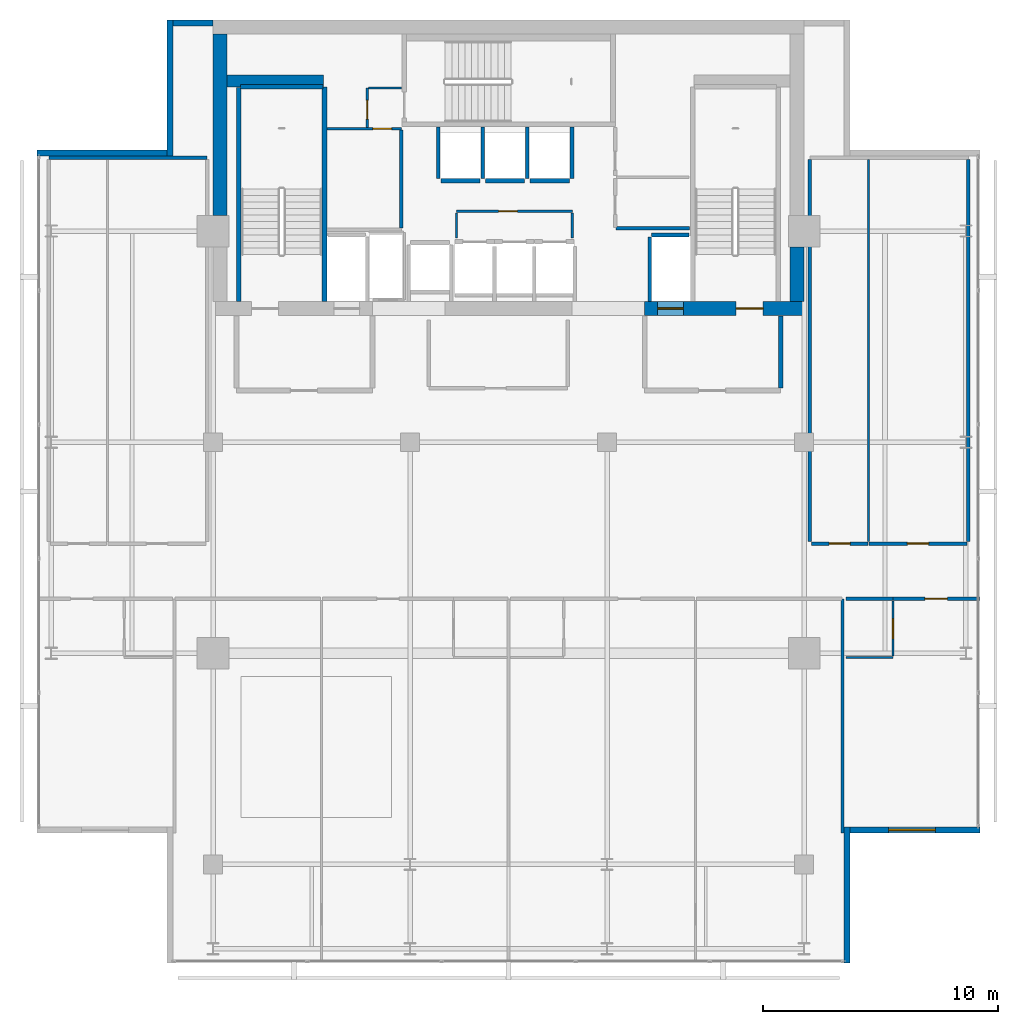
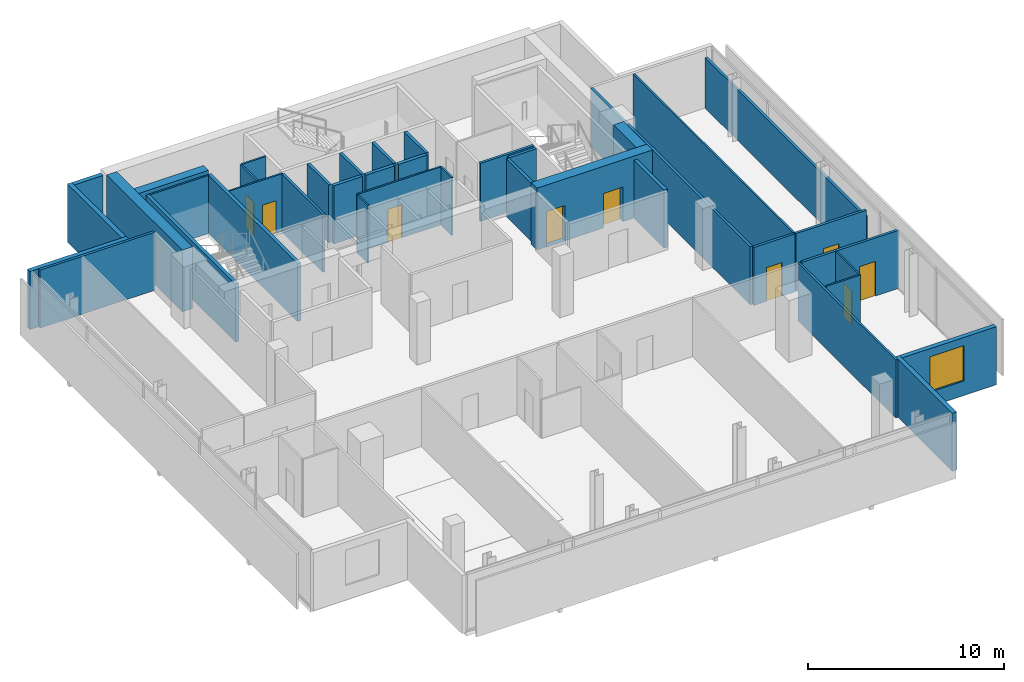
# One storey, part 18 of 23: 41 walls, 9 doors, 1 window, 10 openings.
"""IFC4 building model written with IfcOpenShell, lengths in metres."""

from ifc_helpers import new_model, si_unit, direction, frame, frame_2d, origin, place, context, subcontext, project, spatial, rectangle, extrude, material, layer, layer_set, type_object, element, fill, save


model = new_model("IFC4")

# Units and contexts
model_context = context("Model", 3, precision=1e-05, world=origin(), true_north=direction((0.0, 1.0)))
body_context = subcontext(model_context, "Body", "Model", "MODEL_VIEW")
ifc_project = project(units=[si_unit("LENGTHUNIT", "METRE"), si_unit("AREAUNIT", "SQUARE_METRE"), si_unit("VOLUMEUNIT", "CUBIC_METRE"), si_unit("PLANEANGLEUNIT", "RADIAN"), si_unit("MASSUNIT", "GRAM", prefix="KILO")], contexts=[model_context])

# Site, building, storey
site_placement = place(None, origin())
site = spatial("IfcSite", under=ifc_project, at=site_placement, CompositionType="ELEMENT")
building_placement = place(site_placement, origin())
building = spatial("IfcBuilding", under=site, at=building_placement, Name="Maruvema Waterfront Hotel and Observation Tower", CompositionType="ELEMENT")
storey_placement = place(building_placement, frame((0.0, 0.0, 341.25)))
storey = spatial("IfcBuildingStorey", under=building, at=storey_placement, Name="L84", CompositionType="ELEMENT", Elevation=341.25)

# Walls
ifc_material_1 = material(Name="Twin-stud acoustic gypsum drywall", Category="gypsum")
ifc_layer_1 = layer(ifc_material_1, 0.14990234375, Name="Acoustic Corridor and Suite Demising Wall 150 mm")
ifc_layer_set_1 = layer_set([ifc_layer_1], Name="Twin-stud acoustic gypsum drywall")
wall_type_1 = type_object("IfcWallType", Name="Acoustic Corridor and Suite Demising Wall 150 mm", PredefinedType="PARTITIONING", material=ifc_layer_set_1)
wall_1_placement = place(storey_placement, frame((33.219970703125, 45.139892578125, 0.0), z_axis=(0.0, 0.0, 1.0), x_axis=(0.0, 1.0, 0.0)))
element("IfcWall", 1, at=wall_1_placement, inside=storey, type_object=wall_type_1, Name="L84 Freed B1 East Wall 014", PredefinedType="PARTITIONING", context=body_context, shape_type="SweptSolid", body=[
    extrude(rectangle(XDim=4.16015625, YDim=0.14990234375, at=frame_2d((2.080078125, 0.0))), origin(), (0.0, 0.0, 1.0), 3.610107421875),
])
wall_2_placement = place(storey_placement, frame((42.3798828125, 45.1201171875, 0.0), z_axis=(0.0, 0.0, 1.0), x_axis=(1.0, 0.0, 0.0)))
element("IfcWall", 2, at=wall_2_placement, inside=storey, type_object=wall_type_1, Name="L84 Freed B2 South Wall 021", PredefinedType="PARTITIONING", context=body_context, shape_type="SweptSolid", body=[
    extrude(rectangle(XDim=3.14013671875, YDim=0.14990234375, at=frame_2d((1.570068359375, 0.0))), origin(), (0.0, 0.0, 1.0), 3.610107421875),
])
wall_3_placement = place(storey_placement, frame((18.199951171875, 48.125, 0.0), z_axis=(0.0, 0.0, 1.0), x_axis=(1.0, 0.0, 0.0)))
element("IfcWall", 3, at=wall_3_placement, inside=storey, type_object=wall_type_1, Name="L84 L84-Z4W Back Wall 025", PredefinedType="PARTITIONING", context=body_context, shape_type="SweptSolid", body=[
    extrude(rectangle(XDim=6.75, YDim=0.14990234375, at=frame_2d((3.375, 0.0))), origin(), (0.0, 0.0, 1.0), 3.610107421875),
])
wall_4_placement = place(storey_placement, frame((50.64990234375, 31.760009765625, 0.0), z_axis=(0.0, 0.0, 1.0), x_axis=(0.0, 1.0, 0.0)))
element("IfcWall", 4, at=wall_4_placement, inside=storey, type_object=wall_type_1, Name="L84 L84-Z4E West Wall 032", PredefinedType="PARTITIONING", context=body_context, shape_type="SweptSolid", body=[
    extrude(rectangle(XDim=16.284912109375, YDim=0.14990234375, at=frame_2d((8.142578125, 0.0))), origin(), (0.0, 0.0, 1.0), 3.610107421875),
])
wall_5_placement = place(storey_placement, frame((57.39990234375, 31.760009765625, 0.0), z_axis=(0.0, 0.0, 1.0), x_axis=(0.0, 1.0, 0.0)))
element("IfcWall", 5, at=wall_5_placement, inside=storey, type_object=wall_type_1, Name="L84 L84-Z4E East Wall 033", PredefinedType="PARTITIONING", context=body_context, shape_type="SweptSolid", body=[
    extrude(rectangle(XDim=16.284912109375, YDim=0.14990234375, at=frame_2d((8.142578125, 0.0))), origin(), (0.0, 0.0, 1.0), 3.14111328125),
])

# Wall, opening, door
wall_6_placement = place(storey_placement, frame((50.7099609375, 31.679931640625, 0.0), z_axis=(0.0, 0.0, 1.0), x_axis=(1.0, 0.0, 0.0)))
wall_6 = element("IfcWall", 6, at=wall_6_placement, inside=storey, type_object=wall_type_1, Name="L84 L84-Z4E Front 1 034", PredefinedType="PARTITIONING", context=body_context, shape_type="SweptSolid", body=[
    extrude(rectangle(XDim=2.407470703125, YDim=0.14990234375, at=frame_2d((1.20361328125, 0.0))), origin(), (0.0, 0.0, 1.0), 3.610107421875),
])
opening_1_placement = place(wall_6_placement, frame((0.753662109375, 0.0, 0.0)))
opening_1 = element("IfcOpeningElement", 7, at=opening_1_placement, cuts=wall_6, Name="Opening DR-090", PredefinedType="OPENING", context=body_context, shape_type="SweptSolid", body=[
    extrude(rectangle(XDim=0.89990234375, YDim=2.10009765625, at=frame_2d((0.449951171875, 1.050048828125))), frame((0.0, 0.0849609375, 0.0), z_axis=(0.0, -1.0, 0.0), x_axis=(1.0, 0.0, 0.0)), (0.0, 0.0, 1.0), 0.169921875),
])
ifc_material_2 = material(Name="Solid-core lacquered timber leaf", Category="wood")
door_type_1 = type_object("IfcDoorType", Name="Accessible Toilet and Room Door 900x2100 mm", OperationType="NOTDEFINED", PredefinedType="DOOR", material=ifc_material_2)
door_1_placement = place(opening_1_placement, frame((0.89990234375, 0.0, 0.0), z_axis=(0.0, 0.0, 1.0), x_axis=(-1.0, 0.0, 0.0)))
door_1 = element("IfcDoor", 8, at=door_1_placement, inside=storey, type_object=door_type_1, Name="L84 Diplomatic Study Office 1 Door", OperationType="SINGLE_SWING_RIGHT", OverallHeight=2.10009765625, OverallWidth=0.89990234375, PredefinedType="DOOR", context=body_context, shape_type="SweptSolid", body=[
    extrude(rectangle(XDim=0.89990234375, YDim=2.10009765625, at=frame_2d((0.449951171875, 1.050048828125))), frame((0.0, 0.02490234375, 0.0), z_axis=(0.0, -1.0, 0.0), x_axis=(1.0, 0.0, 0.0)), (0.0, 0.0, 1.0), 0.050048828125),
])
fill(opening_1, door_1)

wall_7_placement = place(storey_placement, frame((53.177490234375, 31.679931640625, 0.0), z_axis=(0.0, 0.0, 1.0), x_axis=(1.0, 0.0, 0.0)))
wall_7 = element("IfcWall", 9, at=wall_7_placement, inside=storey, type_object=wall_type_1, Name="L84 L84-Z4E Front 2 036", PredefinedType="PARTITIONING", context=body_context, shape_type="SweptSolid", body=[
    extrude(rectangle(XDim=4.16259765625, YDim=0.14990234375, at=frame_2d((2.081298828125, 0.0))), origin(), (0.0, 0.0, 1.0), 3.610107421875),
])
opening_2_placement = place(wall_7_placement, frame((1.63134765625, 0.0, 0.0)))
opening_2 = element("IfcOpeningElement", 10, at=opening_2_placement, cuts=wall_7, Name="Opening DR-090", PredefinedType="OPENING", context=body_context, shape_type="SweptSolid", body=[
    extrude(rectangle(XDim=0.89990234375, YDim=2.10009765625, at=frame_2d((0.449951171875, 1.050048828125))), frame((0.0, 0.0849609375, 0.0), z_axis=(0.0, -1.0, 0.0), x_axis=(1.0, 0.0, 0.0)), (0.0, 0.0, 1.0), 0.169921875),
])
door_2_placement = place(opening_2_placement, frame((0.89990234375, 0.0, 0.0), z_axis=(0.0, 0.0, 1.0), x_axis=(-1.0, 0.0, 0.0)))
door_2 = element("IfcDoor", 11, at=door_2_placement, inside=storey, type_object=door_type_1, Name="L84 Diplomatic Study Office 2 Door", OperationType="SINGLE_SWING_LEFT", OverallHeight=2.10009765625, OverallWidth=0.89990234375, PredefinedType="DOOR", context=body_context, shape_type="SweptSolid", body=[
    extrude(rectangle(XDim=0.89990234375, YDim=2.10009765625, at=frame_2d((0.449951171875, 1.050048828125))), frame((0.0, 0.02490234375, 0.0), z_axis=(0.0, -1.0, 0.0), x_axis=(1.0, 0.0, 0.0)), (0.0, 0.0, 1.0), 0.050048828125),
])
fill(opening_2, door_2)

# Wall
wall_8_placement = place(storey_placement, frame((52.18994140625, 29.320068359375, 0.0), z_axis=(0.0, 0.0, 1.0), x_axis=(1.0, 0.0, 0.0)))
element("IfcWall", 12, at=wall_8_placement, inside=storey, type_object=wall_type_1, Name="L84 Bath L84-SKE Back Wall 056", PredefinedType="PARTITIONING", context=body_context, shape_type="SweptSolid", body=[
    extrude(rectangle(XDim=2.0, YDim=0.14990234375, at=frame_2d((1.0, 0.0))), origin(), (0.0, 0.0, 1.0), 3.610107421875),
])

# Wall, opening, door
wall_9_placement = place(storey_placement, frame((54.18994140625, 29.320068359375, 0.0), z_axis=(0.0, 0.0, 1.0), x_axis=(1.0, 0.0, 0.0)))
wall_9 = element("IfcWall", 13, at=wall_9_placement, inside=storey, type_object=wall_type_1, Name="L84 Unit L84-SKE Corridor Wall 059", PredefinedType="PARTITIONING", context=body_context, shape_type="SweptSolid", body=[
    extrude(rectangle(XDim=3.68017578125, YDim=0.14990234375, at=frame_2d((1.840087890625, 0.0))), origin(), (0.0, 0.0, 1.0), 3.610107421875),
])
opening_3_placement = place(wall_9_placement, frame((1.364990234375, 0.0, 0.0)))
opening_3 = element("IfcOpeningElement", 14, at=opening_3_placement, cuts=wall_9, Name="Opening DR-095", PredefinedType="OPENING", context=body_context, shape_type="SweptSolid", body=[
    extrude(rectangle(XDim=0.949951171875, YDim=2.14990234375, at=frame_2d((0.47509765625, 1.074951171875))), frame((0.0, 0.0849609375, 0.0), z_axis=(0.0, -1.0, 0.0), x_axis=(1.0, 0.0, 0.0)), (0.0, 0.0, 1.0), 0.169921875),
])
ifc_material_3 = material(Name="Acoustic solid-core hardwood timber leaf", Category="wood")
door_type_2 = type_object("IfcDoorType", Name="Guestroom Entrance Fire Door 950x2150 mm", OperationType="NOTDEFINED", PredefinedType="DOOR", material=ifc_material_3)
door_3_placement = place(opening_3_placement, frame((0.949951171875, 0.0, 0.0), z_axis=(0.0, 0.0, 1.0), x_axis=(-1.0, 0.0, 0.0)))
door_3 = element("IfcDoor", 15, at=door_3_placement, inside=storey, type_object=door_type_2, Name="L84 Unit L84-SKE Entrance Door", OperationType="SINGLE_SWING_LEFT", OverallHeight=2.14990234375, OverallWidth=0.949951171875, PredefinedType="DOOR", context=body_context, shape_type="SweptSolid", body=[
    extrude(rectangle(XDim=0.949951171875, YDim=2.14990234375, at=frame_2d((0.47509765625, 1.074951171875))), frame((0.0, 0.02490234375, 0.0), z_axis=(0.0, -1.0, 0.0), x_axis=(1.0, 0.0, 0.0)), (0.0, 0.0, 1.0), 0.050048828125),
])
fill(opening_3, door_3)

# Walls
ifc_material_4 = material(Name="Precast concrete C45/55", Category="concrete")
ifc_layer_2 = layer(ifc_material_4, 0.199951171875, Name="Core Shaft and Stairwell Enclosure Wall 200 mm")
ifc_layer_set_2 = layer_set([ifc_layer_2], Name="Precast concrete C45/55")
wall_type_2 = type_object("IfcWallType", Name="Core Shaft and Stairwell Enclosure Wall 200 mm", PredefinedType="SOLIDWALL", material=ifc_layer_set_2)
wall_10_placement = place(storey_placement, frame((29.949951171875, 42.0, 0.0), z_axis=(0.0, 0.0, 1.0), x_axis=(0.0, 1.0, 0.0)))
element("IfcWall", 16, at=wall_10_placement, inside=storey, type_object=wall_type_2, Name="L84 Stairwell ST-01 East Shaft Wall", PredefinedType="SOLIDWALL", context=body_context, shape_type="SweptSolid", body=[
    extrude(rectangle(XDim=9.14990234375, YDim=0.199951171875, at=frame_2d((4.574951171875, 0.0))), origin(), (0.0, 0.0, 1.0), 3.610107421875),
])
wall_11_placement = place(storey_placement, frame((26.300048828125, 42.0, 0.0), z_axis=(0.0, 0.0, 1.0), x_axis=(0.0, 1.0, 0.0)))
element("IfcWall", 17, at=wall_11_placement, inside=storey, type_object=wall_type_2, Name="L84 Stairwell ST-01 Shaft Lining Wall", PredefinedType="SOLIDWALL", context=body_context, shape_type="SweptSolid", body=[
    extrude(rectangle(XDim=9.1201171875, YDim=0.199951171875, at=frame_2d((4.56005859375, 0.0))), origin(), (0.0, 0.0, 1.0), 3.610107421875),
])
wall_12_placement = place(storey_placement, frame((26.3798828125, 51.14990234375, 0.0), z_axis=(0.0, 0.0, 1.0), x_axis=(1.0, 0.0, 0.0)))
element("IfcWall", 18, at=wall_12_placement, inside=storey, type_object=wall_type_2, Name="L84 Stairwell ST-01 Shaft Lining Wall", PredefinedType="SOLIDWALL", context=body_context, shape_type="SweptSolid", body=[
    extrude(rectangle(XDim=3.5, YDim=0.199951171875, at=frame_2d((1.75, 0.0))), origin(), (0.0, 0.0, 1.0), 3.610107421875),
])
wall_13_placement = place(storey_placement, frame((34.909912109375, 47.14990234375, 0.0), z_axis=(0.0, 0.0, 1.0), x_axis=(1.0, 0.0, 0.0)))
element("IfcWall", 19, at=wall_13_placement, inside=storey, type_object=wall_type_2, Name="L84 Lift LF-12 Hoistway Front Wall", PredefinedType="SOLIDWALL", context=body_context, shape_type="SweptSolid", body=[
    extrude(rectangle(XDim=1.68017578125, YDim=0.199951171875, at=frame_2d((0.840087890625, 0.0))), origin(), (0.0, 0.0, 1.0), 3.610107421875),
])
for number, where, z_axis, x_axis, name in (
    (20, (36.81005859375, 47.14990234375, 0.0), (0.0, 0.0, 1.0), (1.0, 0.0, 0.0), "L84 Lift LF-13 Hoistway Front Wall"),
    (21, (38.7099609375, 47.14990234375, 0.0), (0.0, 0.0, 1.0), (1.0, 0.0, 0.0), "L84 Lift LF-14 Hoistway Front Wall"),
):
    element("IfcWall", number, at=place(storey_placement, frame(where, z_axis=z_axis, x_axis=x_axis)), inside=storey, type_object=wall_type_2, Name=name, PredefinedType="SOLIDWALL", context=body_context, shape_type="SweptSolid", body=[
        extrude(rectangle(XDim=1.679931640625, YDim=0.199951171875, at=frame_2d((0.83984375, 0.0))), origin(), (0.0, 0.0, 1.0), 3.610107421875),
    ])
ifc_material_5 = material(Name="Concrete C70/85", Category="concrete")
ifc_layer_3 = layer(ifc_material_5, 0.5, Name="Core Shear Wall 500 mm")
ifc_layer_set_3 = layer_set([ifc_layer_3], Name="Concrete C70/85")
wall_type_3 = type_object("IfcWallType", Name="Core Shear Wall 500 mm", PredefinedType="SHEAR", material=ifc_layer_set_3)
wall_14_placement = place(storey_placement, frame((25.800048828125, 51.39990234375, 0.0), z_axis=(0.0, 0.0, 1.0), x_axis=(1.0, 0.0, 0.0)))
element("IfcWall", 22, at=wall_14_placement, inside=storey, type_object=wall_type_3, Name="L84 Internal Core Shear Wall NW 500 mm", PredefinedType="SHEAR", context=body_context, shape_type="SweptSolid", body=[
    extrude(rectangle(XDim=4.099853515625, YDim=0.5, at=frame_2d((2.0498046875, 0.0))), origin(), (0.0, 0.0, 1.0), 3.85009765625),
])

# Wall, openings, doors
ifc_material_6 = material(Name="Concrete C60/75", Category="concrete")
ifc_layer_4 = layer(ifc_material_6, 0.60009765625, Name="Core Shear Wall 600 mm")
ifc_layer_set_4 = layer_set([ifc_layer_4], Name="Concrete C60/75")
wall_type_4 = type_object("IfcWallType", Name="Core Shear Wall 600 mm", PredefinedType="SHEAR", material=ifc_layer_set_4)
wall_15_placement = place(storey_placement, frame((43.60009765625, 41.699951171875, 0.0), z_axis=(0.0, 0.0, 1.0), x_axis=(1.0, 0.0, 0.0)))
wall_15 = element("IfcWall", 23, at=wall_15_placement, inside=storey, type_object=wall_type_4, Name="L84 South-East Core Shear Wall", PredefinedType="SHEAR", context=body_context, shape_type="SweptSolid", body=[
    extrude(rectangle(XDim=6.7998046875, YDim=0.60009765625, at=frame_2d((3.39990234375, 0.0))), origin(), (0.0, 0.0, 1.0), 3.85009765625),
])
opening_4_placement = place(wall_15_placement, frame((3.89990234375, 0.0, 0.0)))
opening_4 = element("IfcOpeningElement", 24, at=opening_4_placement, cuts=wall_15, Name="Opening SD-01", PredefinedType="OPENING", context=body_context, shape_type="SweptSolid", body=[
    extrude(rectangle(XDim=1.14990234375, YDim=2.14990234375, at=frame_2d((0.574951171875, 1.074951171875))), frame((0.0, 0.31005859375, 0.0), z_axis=(0.0, -1.0, 0.0), x_axis=(1.0, 0.0, 0.0)), (0.0, 0.0, 1.0), 0.6201171875),
])
opening_5_placement = place(wall_15_placement, frame((0.550048828125, 0.0, 0.0)))
opening_5 = element("IfcOpeningElement", 25, at=opening_5_placement, cuts=wall_15, Name="Opening LD-03", PredefinedType="OPENING", context=body_context, shape_type="SweptSolid", body=[
    extrude(rectangle(XDim=1.10009765625, YDim=2.199951171875, at=frame_2d((0.550048828125, 1.10009765625))), frame((0.0, 0.31005859375, 0.0), z_axis=(0.0, -1.0, 0.0), x_axis=(1.0, 0.0, 0.0)), (0.0, 0.0, 1.0), 0.6201171875),
])
ifc_material_7 = material(Name="Fire-rated galvanised steel leaf", Category="steel")
door_type_3 = type_object("IfcDoorType", Name="Exit Stair Fire Door 1150x2150 mm", OperationType="NOTDEFINED", PredefinedType="DOOR", material=ifc_material_7)
door_4_placement = place(opening_4_placement, origin())
door_4 = element("IfcDoor", 26, at=door_4_placement, inside=storey, type_object=door_type_3, Name="L84 Exit Stair ST-03 Fire Door", OperationType="SINGLE_SWING_RIGHT", OverallHeight=2.14990234375, OverallWidth=1.14990234375, PredefinedType="DOOR", context=body_context, shape_type="SweptSolid", body=[
    extrude(rectangle(XDim=1.14990234375, YDim=2.14990234375, at=frame_2d((0.574951171875, 1.074951171875))), frame((0.0, 0.02490234375, 0.0), z_axis=(0.0, -1.0, 0.0), x_axis=(1.0, 0.0, 0.0)), (0.0, 0.0, 1.0), 0.050048828125),
])
fill(opening_4, door_4)
ifc_material_8 = material(Name="Brushed stainless steel Grade 316", Category="steel")
door_type_4 = type_object("IfcDoorType", Name="Firefighting Lift Sliding Landing Door 1100x2200 mm", OperationType="SLIDING_TO_LEFT", PredefinedType="DOOR", material=ifc_material_8)
door_5_placement = place(opening_5_placement, frame((1.10009765625, 0.0, 0.0), z_axis=(0.0, 0.0, 1.0), x_axis=(-1.0, 0.0, 0.0)))
door_5 = element("IfcDoor", 27, at=door_5_placement, inside=storey, type_object=door_type_4, Name="L84 Firefighting Lift FL-02 Landing Door", OperationType="SLIDING_TO_LEFT", OverallHeight=2.199951171875, OverallWidth=1.10009765625, PredefinedType="DOOR", context=body_context, shape_type="SweptSolid", body=[
    extrude(rectangle(XDim=1.10009765625, YDim=2.199951171875, at=frame_2d((0.550048828125, 1.10009765625))), frame((0.0, 0.02490234375, 0.0), z_axis=(0.0, -1.0, 0.0), x_axis=(1.0, 0.0, 0.0)), (0.0, 0.0, 1.0), 0.050048828125),
])
fill(opening_5, door_5)

# Walls
wall_16_placement = place(storey_placement, frame((25.5, 45.675048828125, 0.0), z_axis=(0.0, 0.0, 1.0), x_axis=(0.0, 1.0, 0.0)))
element("IfcWall", 28, at=wall_16_placement, inside=storey, type_object=wall_type_4, Name="L84 West-North Core Shear Wall", PredefinedType="SHEAR", context=body_context, shape_type="SweptSolid", body=[
    extrude(rectangle(XDim=7.724853515625, YDim=0.60009765625, at=frame_2d((3.8623046875, 0.0))), origin(), (0.0, 0.0, 1.0), 3.85009765625),
])
wall_17_placement = place(storey_placement, frame((50.10009765625, 42.0, 0.0), z_axis=(0.0, 0.0, 1.0), x_axis=(0.0, 1.0, 0.0)))
element("IfcWall", 29, at=wall_17_placement, inside=storey, type_object=wall_type_4, Name="L84 East-South Core Shear Wall", PredefinedType="SHEAR", context=body_context, shape_type="SweptSolid", body=[
    extrude(rectangle(XDim=2.324951171875, YDim=0.60009765625, at=frame_2d((1.16259765625, 0.0))), origin(), (0.0, 0.0, 1.0), 3.85009765625),
])

# Wall, opening, door
ifc_material_9 = material(Name="Moisture-resistant cement-board drywall", Category="gypsum")
ifc_layer_5 = layer(ifc_material_9, 0.10009765625, Name="En-Suite Moisture-Resistant Partition 100 mm")
ifc_layer_set_5 = layer_set([ifc_layer_5], Name="Moisture-resistant cement-board drywall")
wall_type_5 = type_object("IfcWallType", Name="En-Suite Moisture-Resistant Partition 100 mm", PredefinedType="PARTITIONING", material=ifc_layer_set_5)
wall_18_placement = place(storey_placement, frame((35.580078125, 45.840087890625, 0.0), z_axis=(0.0, 0.0, 1.0), x_axis=(1.0, 0.0, 0.0)))
wall_18 = element("IfcWall", 30, at=wall_18_placement, inside=storey, type_object=wall_type_5, Name="L84 Core Closet K0 North 010", PredefinedType="PARTITIONING", context=body_context, shape_type="SweptSolid", body=[
    extrude(rectangle(XDim=4.93994140625, YDim=0.10009765625, at=frame_2d((2.469970703125, 0.0))), origin(), (0.0, 0.0, 1.0), 3.610107421875),
])
opening_6_placement = place(wall_18_placement, frame((1.800048828125, 0.0, 0.0)))
opening_6 = element("IfcOpeningElement", 31, at=opening_6_placement, cuts=wall_18, Name="Opening DR-080", PredefinedType="OPENING", context=body_context, shape_type="SweptSolid", body=[
    extrude(rectangle(XDim=0.800048828125, YDim=2.050048828125, at=frame_2d((0.39990234375, 1.02490234375))), frame((0.0, 0.06005859375, 0.0), z_axis=(0.0, -1.0, 0.0), x_axis=(1.0, 0.0, 0.0)), (0.0, 0.0, 1.0), 0.1201171875),
])
ifc_material_10 = material(Name="Powder-coated steel access leaf", Category="steel")
door_type_5 = type_object("IfcDoorType", Name="Riser and Service Cupboard Door 800x2050 mm", OperationType="NOTDEFINED", PredefinedType="DOOR", material=ifc_material_10)
door_6_placement = place(opening_6_placement, origin())
door_6 = element("IfcDoor", 32, at=door_6_placement, inside=storey, type_object=door_type_5, Name="L84 Core Electrical Closet Door", OperationType="SINGLE_SWING_RIGHT", OverallHeight=2.050048828125, OverallWidth=0.800048828125, PredefinedType="DOOR", context=body_context, shape_type="SweptSolid", body=[
    extrude(rectangle(XDim=0.800048828125, YDim=2.050048828125, at=frame_2d((0.39990234375, 1.02490234375))), frame((0.0, 0.02490234375, 0.0), z_axis=(0.0, -1.0, 0.0), x_axis=(1.0, 0.0, 0.0)), (0.0, 0.0, 1.0), 0.050048828125),
])
fill(opening_6, door_6)

# Walls
for number, where, z_axis, x_axis, name in (
    (33, (35.580078125, 44.699951171875, 0.0), (0.0, 0.0, 1.0), (0.0, 1.0, 0.0), "L84 Core Closet K0 West 011"),
    (34, (40.52001953125, 44.699951171875, 0.0), (0.0, 0.0, 1.0), (0.0, 1.0, 0.0), "L84 Core Closet K0 East 012"),
):
    element("IfcWall", number, at=place(storey_placement, frame(where, z_axis=z_axis, x_axis=x_axis)), inside=storey, type_object=wall_type_5, Name=name, PredefinedType="PARTITIONING", context=body_context, shape_type="SweptSolid", body=[
        extrude(rectangle(XDim=1.080078125, YDim=0.10009765625, at=frame_2d((0.5400390625, 0.0))), origin(), (0.0, 0.0, 1.0), 3.610107421875),
    ])

# Wall, opening, door
wall_19_placement = place(storey_placement, frame((30.06005859375, 49.360107421875, 0.0), z_axis=(0.0, 0.0, 1.0), x_axis=(1.0, 0.0, 0.0)))
wall_19 = element("IfcWall", 35, at=wall_19_placement, inside=storey, type_object=wall_type_5, Name="L84 Freed B1 Mid Wall 015", PredefinedType="PARTITIONING", context=body_context, shape_type="SweptSolid", body=[
    extrude(rectangle(XDim=3.179931640625, YDim=0.10009765625, at=frame_2d((1.58984375, 0.0))), origin(), (0.0, 0.0, 1.0), 3.610107421875),
])
opening_7_placement = place(wall_19_placement, frame((1.949951171875, 0.0, 0.0)))
opening_7 = element("IfcOpeningElement", 36, at=opening_7_placement, cuts=wall_19, Name="Opening DR-080", PredefinedType="OPENING", context=body_context, shape_type="SweptSolid", body=[
    extrude(rectangle(XDim=0.800048828125, YDim=2.050048828125, at=frame_2d((0.39990234375, 1.02490234375))), frame((0.0, 0.06005859375, 0.0), z_axis=(0.0, -1.0, 0.0), x_axis=(1.0, 0.0, 0.0)), (0.0, 0.0, 1.0), 0.1201171875),
])
door_7_placement = place(opening_7_placement, origin())
door_7 = element("IfcDoor", 37, at=door_7_placement, inside=storey, type_object=door_type_5, Name="L84 Housekeeping and Linen Room Door", OperationType="SINGLE_SWING_LEFT", OverallHeight=2.050048828125, OverallWidth=0.800048828125, PredefinedType="DOOR", context=body_context, shape_type="SweptSolid", body=[
    extrude(rectangle(XDim=0.800048828125, YDim=2.050048828125, at=frame_2d((0.39990234375, 1.02490234375))), frame((0.0, 0.02490234375, 0.0), z_axis=(0.0, -1.0, 0.0), x_axis=(1.0, 0.0, 0.0)), (0.0, 0.0, 1.0), 0.050048828125),
])
fill(opening_7, door_7)

wall_20_placement = place(storey_placement, frame((31.780029296875, 49.419921875, 0.0), z_axis=(0.0, 0.0, 1.0), x_axis=(0.0, 1.0, 0.0)))
wall_20 = element("IfcWall", 38, at=wall_20_placement, inside=storey, type_object=wall_type_5, Name="L84 Freed B1 NW East Wall 016", PredefinedType="PARTITIONING", context=body_context, shape_type="SweptSolid", body=[
    extrude(rectangle(XDim=1.68017578125, YDim=0.10009765625, at=frame_2d((0.840087890625, 0.0))), origin(), (0.0, 0.0, 1.0), 3.610107421875),
])
opening_8_placement = place(wall_20_placement, frame((0.35009765625, 0.0, 0.0)))
opening_8 = element("IfcOpeningElement", 39, at=opening_8_placement, cuts=wall_20, Name="Opening DR-080", PredefinedType="OPENING", context=body_context, shape_type="SweptSolid", body=[
    extrude(rectangle(XDim=0.800048828125, YDim=2.050048828125, at=frame_2d((0.39990234375, 1.02490234375))), frame((0.0, 0.06005859375, 0.0), z_axis=(0.0, -1.0, 0.0), x_axis=(1.0, 0.0, 0.0)), (0.0, 0.0, 1.0), 0.1201171875),
])
door_8_placement = place(opening_8_placement, origin())
door_8 = element("IfcDoor", 40, at=door_8_placement, inside=storey, type_object=door_type_5, Name="L84 Guest Floor Pantry Door", OperationType="SINGLE_SWING_RIGHT", OverallHeight=2.050048828125, OverallWidth=0.800048828125, PredefinedType="DOOR", context=body_context, shape_type="SweptSolid", body=[
    extrude(rectangle(XDim=0.800048828125, YDim=2.050048828125, at=frame_2d((0.39990234375, 1.02490234375))), frame((0.0, 0.02490234375, 0.0), z_axis=(0.0, -1.0, 0.0), x_axis=(1.0, 0.0, 0.0)), (0.0, 0.0, 1.0), 0.050048828125),
])
fill(opening_8, door_8)

# Walls
wall_21_placement = place(storey_placement, frame((31.820068359375, 51.10009765625, 0.0), z_axis=(0.0, 0.0, 1.0), x_axis=(1.0, 0.0, 0.0)))
element("IfcWall", 41, at=wall_21_placement, inside=storey, type_object=wall_type_5, Name="L84 Freed B1 Vestibule North Wall 017", PredefinedType="PARTITIONING", context=body_context, shape_type="SweptSolid", body=[
    extrude(rectangle(XDim=1.419921875, YDim=0.10009765625, at=frame_2d((0.7099609375, 0.0))), origin(), (0.0, 0.0, 1.0), 3.610107421875),
])
wall_22_placement = place(storey_placement, frame((53.1474609375, 31.760009765625, 0.0), z_axis=(0.0, 0.0, 1.0), x_axis=(0.0, 1.0, 0.0)))
element("IfcWall", 42, at=wall_22_placement, inside=storey, type_object=wall_type_5, Name="L84 L84-Z4E Split 1 035", PredefinedType="PARTITIONING", context=body_context, shape_type="SweptSolid", body=[
    extrude(rectangle(XDim=16.284912109375, YDim=0.10009765625, at=frame_2d((8.142578125, 0.0))), origin(), (0.0, 0.0, 1.0), 3.610107421875),
])
wall_23_placement = place(storey_placement, frame((52.18994140625, 26.820068359375, 0.0), z_axis=(0.0, 0.0, 1.0), x_axis=(1.0, 0.0, 0.0)))
element("IfcWall", 43, at=wall_23_placement, inside=storey, type_object=wall_type_5, Name="L84 En-Suite L84-SKE South 057", PredefinedType="PARTITIONING", context=body_context, shape_type="SweptSolid", body=[
    extrude(rectangle(XDim=2.0, YDim=0.10009765625, at=frame_2d((1.0, 0.0))), origin(), (0.0, 0.0, 1.0), 3.610107421875),
])

# Wall, opening, door
wall_24_placement = place(storey_placement, frame((54.18994140625, 26.8798828125, 0.0), z_axis=(0.0, 0.0, 1.0), x_axis=(0.0, 1.0, 0.0)))
wall_24 = element("IfcWall", 44, at=wall_24_placement, inside=storey, type_object=wall_type_5, Name="L84 En-Suite L84-SKE East 058", PredefinedType="PARTITIONING", context=body_context, shape_type="SweptSolid", body=[
    extrude(rectangle(XDim=2.340087890625, YDim=0.10009765625, at=frame_2d((1.169921875, 0.0))), origin(), (0.0, 0.0, 1.0), 3.610107421875),
])
opening_9_placement = place(wall_24_placement, frame((0.7451171875, 0.0, 0.0)))
opening_9 = element("IfcOpeningElement", 45, at=opening_9_placement, cuts=wall_24, Name="Opening DR-085", PredefinedType="OPENING", context=body_context, shape_type="SweptSolid", body=[
    extrude(rectangle(XDim=0.85009765625, YDim=2.10009765625, at=frame_2d((0.425048828125, 1.050048828125))), frame((0.0, 0.06005859375, 0.0), z_axis=(0.0, -1.0, 0.0), x_axis=(1.0, 0.0, 0.0)), (0.0, 0.0, 1.0), 0.1201171875),
])
ifc_material_11 = material(Name="Moisture-resistant solid timber leaf", Category="wood")
door_type_6 = type_object("IfcDoorType", Name="En-Suite Bathroom Door 850x2100 mm", OperationType="NOTDEFINED", PredefinedType="DOOR", material=ifc_material_11)
door_9_placement = place(opening_9_placement, frame((0.85009765625, 0.0, 0.0), z_axis=(0.0, 0.0, 1.0), x_axis=(-1.0, 0.0, 0.0)))
door_9 = element("IfcDoor", 46, at=door_9_placement, inside=storey, type_object=door_type_6, Name="L84 En-Suite L84-SKE Door", OperationType="SINGLE_SWING_RIGHT", OverallHeight=2.10009765625, OverallWidth=0.85009765625, PredefinedType="DOOR", context=body_context, shape_type="SweptSolid", body=[
    extrude(rectangle(XDim=0.85009765625, YDim=2.10009765625, at=frame_2d((0.425048828125, 1.050048828125))), frame((0.0, 0.02490234375, 0.0), z_axis=(0.0, -1.0, 0.0), x_axis=(1.0, 0.0, 0.0)), (0.0, 0.0, 1.0), 0.050048828125),
])
fill(opening_9, door_9)

# Wall
ifc_material_12 = material(Name="Precast concrete C45/55 with honed Pernambuco granite facing", Category="masonry")
ifc_layer_6 = layer(ifc_material_12, 0.260009765625, Name="Exterior Granite Clad Spandrel and Pier Wall 260 mm")
ifc_layer_set_6 = layer_set([ifc_layer_6], Name="Precast concrete C45/55 with honed Pernambuco granite facing")
wall_type_6 = type_object("IfcWallType", Name="Exterior Granite Clad Spandrel and Pier Wall 260 mm", PredefinedType="SOLIDWALL", material=ifc_layer_set_6)
wall_25_placement = place(storey_placement, frame((52.22998046875, 19.60009765625, 0.0), z_axis=(0.0, 0.0, 1.0), x_axis=(0.0, -1.0, 0.0)))
element("IfcWall", 47, at=wall_25_placement, inside=storey, type_object=wall_type_6, Name="L84 Corner Notch Granite Pier Wall SE1", PredefinedType="SOLIDWALL", context=body_context, shape_type="SweptSolid", body=[
    extrude(rectangle(XDim=5.800048828125, YDim=0.260009765625, at=frame_2d((2.89990234375, 0.0))), origin(), (0.0, 0.0, 1.0), 3.610107421875),
])

# Wall, opening, window
wall_26_placement = place(storey_placement, frame((57.89990234375, 19.469970703125, 0.0), z_axis=(0.0, 0.0, 1.0), x_axis=(-1.0, 0.0, 0.0)))
wall_26 = element("IfcWall", 48, at=wall_26_placement, inside=storey, type_object=wall_type_6, Name="L84 Corner Notch Granite Pier Wall SE2", PredefinedType="SOLIDWALL", context=body_context, shape_type="SweptSolid", body=[
    extrude(rectangle(XDim=5.7998046875, YDim=0.260009765625, at=frame_2d((2.89990234375, 0.0))), origin(), (0.0, 0.0, 1.0), 3.610107421875),
])
opening_10_placement = place(wall_26_placement, frame((1.89990234375, 0.0, 0.89990234375)))
opening_10 = element("IfcOpeningElement", 49, at=opening_10_placement, cuts=wall_26, Name="Opening WN-03", PredefinedType="OPENING", context=body_context, shape_type="SweptSolid", body=[
    extrude(rectangle(XDim=2.0, YDim=2.199951171875, at=frame_2d((1.0, 1.10009765625))), frame((0.0, 0.14013671875, 0.0), z_axis=(0.0, -1.0, 0.0), x_axis=(1.0, 0.0, 0.0)), (0.0, 0.0, 1.0), 0.280029296875),
])
ifc_material_13 = material(Name="Anodised bronze aluminium frame with laminated low-E glass", Category="aluminium")
window_type = type_object("IfcWindowType", Name="Sky Suite Panoramic Notch Window 2000x2200 mm", PartitioningType="SINGLE_PANEL", PredefinedType="WINDOW", material=ifc_material_13)
window_placement = place(opening_10_placement, origin())
window = element("IfcWindow", 50, at=window_placement, inside=storey, type_object=window_type, Name="L84 Corner Notch Punched Window SE2", OverallHeight=2.199951171875, OverallWidth=2.0, PartitioningType="SINGLE_PANEL", PredefinedType="WINDOW", context=body_context, shape_type="SweptSolid", body=[
    extrude(rectangle(XDim=2.0, YDim=2.199951171875, at=frame_2d((1.0, 1.10009765625))), frame((0.0, 0.030029296875, 0.0), z_axis=(0.0, -1.0, 0.0), x_axis=(1.0, 0.0, 0.0)), (0.0, 0.0, 1.0), 0.06005859375),
])
fill(opening_10, window)

# Walls
for number, where, z_axis, x_axis, name in (
    (51, (23.3701171875, 48.199951171875, 0.0), (0.0, 0.0, 1.0), (0.0, 1.0, 0.0), "L84 Corner Notch Granite Pier Wall NW1"),
    (52, (17.699951171875, 48.330078125, 0.0), (0.0, 0.0, 1.0), (1.0, 0.0, 0.0), "L84 Corner Notch Granite Pier Wall NW2"),
):
    element("IfcWall", number, at=place(storey_placement, frame(where, z_axis=z_axis, x_axis=x_axis)), inside=storey, type_object=wall_type_6, Name=name, PredefinedType="SOLIDWALL", context=body_context, shape_type="SweptSolid", body=[
        extrude(rectangle(XDim=5.800048828125, YDim=0.260009765625, at=frame_2d((2.89990234375, 0.0))), origin(), (0.0, 0.0, 1.0), 3.610107421875),
    ])
wall_27_placement = place(storey_placement, frame((25.199951171875, 53.8701171875, 0.0), z_axis=(0.0, 0.0, 1.0), x_axis=(-1.0, 0.0, 0.0)))
element("IfcWall", 53, at=wall_27_placement, inside=storey, type_object=wall_type_6, Name="L84 North-West Core Flanking Pier Wall", PredefinedType="SOLIDWALL", context=body_context, shape_type="SweptSolid", body=[
    extrude(rectangle(XDim=1.699951171875, YDim=0.260009765625, at=frame_2d((0.85009765625, 0.0))), origin(), (0.0, 0.0, 1.0), 3.610107421875),
])
ifc_material_14 = material(Name="Autoclaved cellular concrete blockwork", Category="masonry")
ifc_layer_7 = layer(ifc_material_14, 0.199951171875, Name="Fire Compartment Masonry Wall 200 mm")
ifc_layer_set_7 = layer_set([ifc_layer_7], Name="Autoclaved cellular concrete blockwork")
wall_type_7 = type_object("IfcWallType", Name="Fire Compartment Masonry Wall 200 mm", PredefinedType="PARTITIONING", material=ifc_layer_set_7)
wall_28_placement = place(storey_placement, frame((49.39990234375, 38.31005859375, 0.0), z_axis=(0.0, 0.0, 1.0), x_axis=(0.0, 1.0, 0.0)))
element("IfcWall", 54, at=wall_28_placement, inside=storey, type_object=wall_type_7, Name="L84 FFL East East Wall 006", PredefinedType="PARTITIONING", context=body_context, shape_type="SweptSolid", body=[
    extrude(rectangle(XDim=3.06982421875, YDim=0.199951171875, at=frame_2d((1.534912109375, 0.0))), origin(), (0.0, 0.0, 1.0), 3.610107421875),
])
ifc_material_15 = material(Name="Acoustic gypsum plasterboard drywall", Category="gypsum")
ifc_layer_8 = layer(ifc_material_15, 0.125, Name="Guestroom Acoustic Demising Wall 125 mm")
ifc_layer_set_8 = layer_set([ifc_layer_8], Name="Acoustic gypsum plasterboard drywall")
wall_type_8 = type_object("IfcWallType", Name="Guestroom Acoustic Demising Wall 125 mm", PredefinedType="PARTITIONING", material=ifc_layer_set_8)
wall_29_placement = place(storey_placement, frame((52.03759765625, 19.340087890625, 0.0), z_axis=(0.0, 0.0, 1.0), x_axis=(0.0, 1.0, 0.0)))
element("IfcWall", 55, at=wall_29_placement, inside=storey, type_object=wall_type_8, Name="L84 Z4 S East End 038", PredefinedType="PARTITIONING", context=body_context, shape_type="SweptSolid", body=[
    extrude(rectangle(XDim=9.97998046875, YDim=0.125, at=frame_2d((4.989990234375, 0.0))), origin(), (0.0, 0.0, 1.0), 3.610107421875),
])
ifc_material_16 = material(Name="Precast concrete C45/55", Category="concrete")
ifc_layer_9 = layer(ifc_material_16, 0.159912109375, Name="Lift Hoistway Divider Wall 160 mm")
ifc_layer_set_9 = layer_set([ifc_layer_9], Name="Precast concrete C45/55")
wall_type_9 = type_object("IfcWallType", Name="Lift Hoistway Divider Wall 160 mm", PredefinedType="SOLIDWALL", material=ifc_layer_set_9)
wall_30_placement = place(storey_placement, frame((43.89990234375, 44.830078125, 0.0), z_axis=(0.0, 0.0, 1.0), x_axis=(1.0, 0.0, 0.0)))
element("IfcWall", 56, at=wall_30_placement, inside=storey, type_object=wall_type_9, Name="L84 Lift FL-02 Rear Hoistway Wall", PredefinedType="SOLIDWALL", context=body_context, shape_type="SweptSolid", body=[
    extrude(rectangle(XDim=1.60009765625, YDim=0.159912109375, at=frame_2d((0.800048828125, 0.0))), origin(), (0.0, 0.0, 1.0), 3.610107421875),
])
wall_31_placement = place(storey_placement, frame((43.820068359375, 42.0, 0.0), z_axis=(0.0, 0.0, 1.0), x_axis=(0.0, 1.0, 0.0)))
element("IfcWall", 57, at=wall_31_placement, inside=storey, type_object=wall_type_9, Name="L84 Lift FL-02 Inner Hoistway Wall", PredefinedType="SOLIDWALL", context=body_context, shape_type="SweptSolid", body=[
    extrude(rectangle(XDim=2.739990234375, YDim=0.159912109375, at=frame_2d((1.3701171875, 0.0))), origin(), (0.0, 0.0, 1.0), 3.610107421875),
])
for number, where, z_axis, x_axis, name in (
    (58, (34.800048828125, 47.25, 0.0), (0.0, 0.0, 1.0), (0.0, 1.0, 0.0), "L84 Hoistway Divider Wall"),
    (59, (36.699951171875, 47.25, 0.0), (0.0, 0.0, 1.0), (0.0, 1.0, 0.0), "L84 Hoistway Divider Wall"),
    (60, (38.60009765625, 47.25, 0.0), (0.0, 0.0, 1.0), (0.0, 1.0, 0.0), "L84 Hoistway Divider Wall"),
    (61, (40.5, 47.25, 0.0), (0.0, 0.0, 1.0), (0.0, 1.0, 0.0), "L84 Hoistway Divider Wall"),
):
    element("IfcWall", number, at=place(storey_placement, frame(where, z_axis=z_axis, x_axis=x_axis)), inside=storey, type_object=wall_type_9, Name=name, PredefinedType="SOLIDWALL", context=body_context, shape_type="SweptSolid", body=[
        extrude(rectangle(XDim=2.18994140625, YDim=0.159912109375, at=frame_2d((1.094970703125, 0.0))), origin(), (0.0, 0.0, 1.0), 3.610107421875),
    ])

save(model, "model.ifc")
